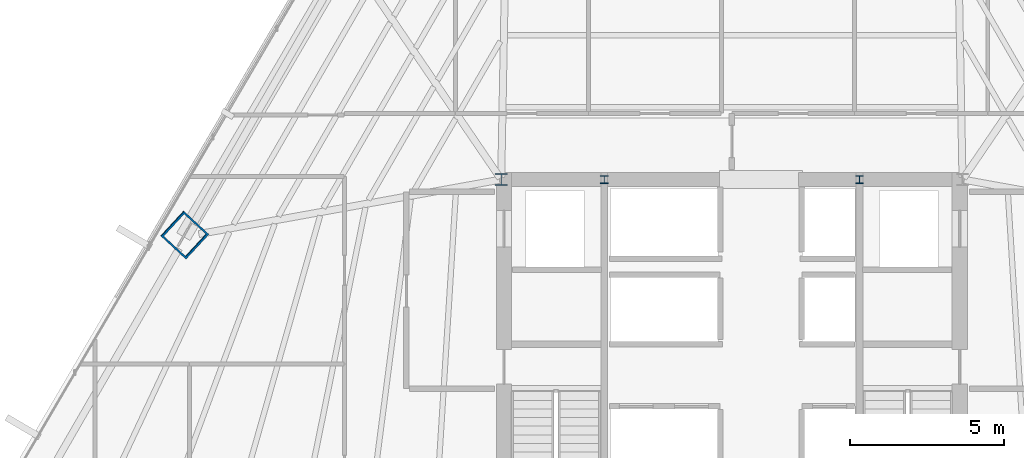
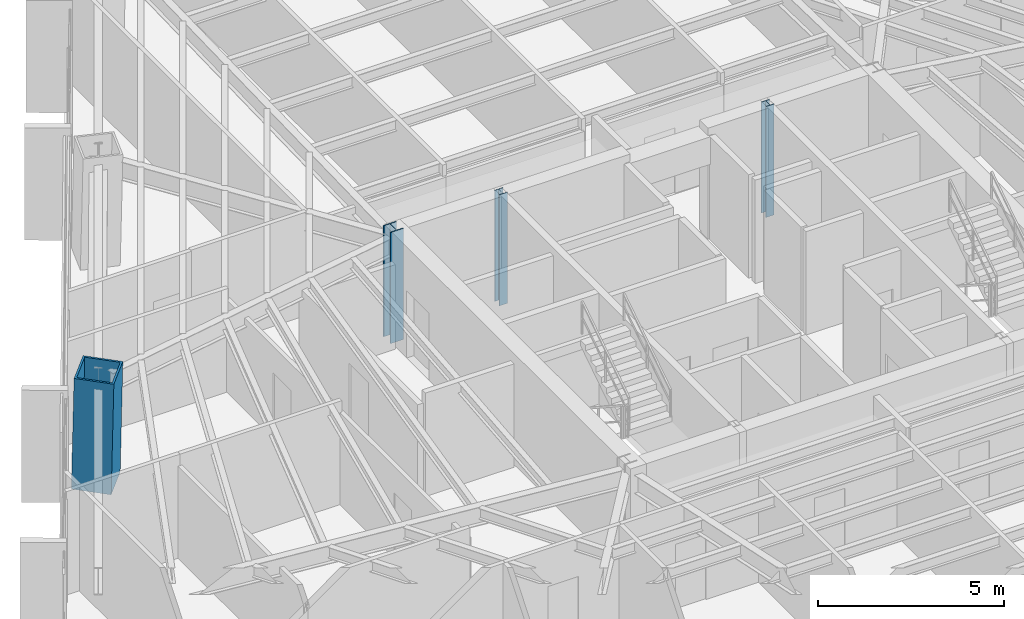
# One storey, part 2 of 36: 4 columns.
"""IFC4 building model written with IfcOpenShell, lengths in metres."""

from ifc_helpers import new_model, si_unit, direction, frame, origin, origin_2d, place, context, subcontext, project, spatial, hollow_rectangle, i_section, extrude, source, transform, mapped, material, material_profile, profile_set, type_object, type_shapes, element, save


model = new_model("IFC4")

# Units and contexts
model_context = context("Model", 3, precision=1e-05, world=origin(), true_north=direction((0.0, 1.0)))
body_context = subcontext(model_context, "Body", "Model", "MODEL_VIEW")
ifc_project = project(units=[si_unit("LENGTHUNIT", "METRE"), si_unit("AREAUNIT", "SQUARE_METRE"), si_unit("VOLUMEUNIT", "CUBIC_METRE"), si_unit("PLANEANGLEUNIT", "RADIAN"), si_unit("MASSUNIT", "GRAM", prefix="KILO")], contexts=[model_context])

# Site, building, storey
site_placement = place(None, origin())
site = spatial("IfcSite", under=ifc_project, at=site_placement, CompositionType="ELEMENT")
building_placement = place(site_placement, origin())
building = spatial("IfcBuilding", under=site, at=building_placement, Name="Caelisora Broadcast Tower", CompositionType="ELEMENT")
storey_placement = place(building_placement, frame((0.0, 0.0, 112.699951171875)))
storey = spatial("IfcBuildingStorey", under=building, at=storey_placement, Name="L29", CompositionType="ELEMENT", Elevation=112.699951171875)

# Columns
ifc_material_1 = material(Name="Steel Grade 350 (AS/NZS 3679.1)", Category="steel")
ifc_material_profile_1 = material_profile(ifc_material_1, i_section(OverallWidth=0.256103515625, OverallDepth=0.260009765625, WebThickness=0.010498046875, FlangeThickness=0.017333984375, at=origin_2d()), Name="Steel Grade 350 (AS/NZS 3679.1)")
ifc_profile_set_1 = profile_set([ifc_material_profile_1], Name="Steel Grade 350 (AS/NZS 3679.1)")
column_type_1 = type_object("IfcColumnType", Name="CC05", PredefinedType="COLUMN", material=ifc_profile_set_1)
shared_shape_1 = source(origin(), body_context, "Body", "SweptSolid", [
    extrude(i_section(OverallWidth=0.256103515625, OverallDepth=0.260009765625, WebThickness=0.010498046875, FlangeThickness=0.017333984375, at=origin_2d()), origin(), (0.0, 0.0, 1.0), 3.650146484375),
])
type_shapes(column_type_1, [shared_shape_1])
for number, where, z_axis, x_axis, name in (
    (1, (33.85009765625, 30.0, 0.0), (0.0, 0.0, 1.0), (1.0, 0.0, 0.0), "L29 column CC05"),
    (2, (42.14990234375, 30.0, 0.0), (0.0, 0.0, 1.0), (1.0, 0.0, 0.0), "L29 column CC05"),
):
    element("IfcColumn", number, at=place(storey_placement, frame(where, z_axis=z_axis, x_axis=x_axis)), inside=storey, type_object=column_type_1, Name=name, PredefinedType="COLUMN", context=body_context, shape_type="MappedRepresentation", body=[
        mapped(shared_shape_1, transform((0.0, 0.0, 0.0), scale=1.0)),
    ])
ifc_material_2 = material(Name="Steel Grade 350 L15 (AS/NZS 3678)", Category="steel")
ifc_material_profile_2 = material_profile(ifc_material_2, hollow_rectangle(XDim=1.10009765625, YDim=1.10009765625, WallThickness=0.06005859375, at=origin_2d()), Name="Steel Grade 350 L15 (AS/NZS 3678)")
ifc_profile_set_2 = profile_set([ifc_material_profile_2], Name="Steel Grade 350 L15 (AS/NZS 3678)")
column_type_2 = type_object("IfcColumnType", Name="MC03", PredefinedType="COLUMN", material=ifc_profile_set_2)
shared_shape_2 = source(origin(), body_context, "Body", "SweptSolid", [
    extrude(hollow_rectangle(XDim=1.10009765625, YDim=1.10009765625, WallThickness=0.06005859375, at=origin_2d()), origin(), (0.0, 0.0, 1.0), 3.65087890625),
])
type_shapes(column_type_2, [shared_shape_2])
column_1_placement = place(storey_placement, frame((20.202392578125, 28.202392578125, 0.0), z_axis=(0.014912316331, -0.013775502979, 0.999793907933), x_axis=(0.678553674548, 0.734550822447, 0.0)))
element("IfcColumn", 3, at=column_1_placement, inside=storey, type_object=column_type_2, Name="L29 column MC03", PredefinedType="COLUMN", context=body_context, shape_type="MappedRepresentation", body=[
    mapped(shared_shape_2, transform((0.0, 0.0, 0.0), scale=1.0)),
])
ifc_material_3 = material(Name="Steel Grade 350 (AS/NZS 3679.2)", Category="steel")
ifc_material_profile_3 = material_profile(ifc_material_3, i_section(OverallWidth=0.39990234375, OverallDepth=0.39990234375, WebThickness=0.02001953125, FlangeThickness=0.031982421875, at=origin_2d()), Name="Steel Grade 350 (AS/NZS 3679.2)")
ifc_profile_set_3 = profile_set([ifc_material_profile_3], Name="Steel Grade 350 (AS/NZS 3679.2)")
column_type_3 = type_object("IfcColumnType", Name="CC02", PredefinedType="COLUMN", material=ifc_profile_set_3)
shared_shape_3 = source(origin(), body_context, "Body", "SweptSolid", [
    extrude(i_section(OverallWidth=0.39990234375, OverallDepth=0.39990234375, WebThickness=0.02001953125, FlangeThickness=0.031982421875, at=origin_2d()), origin(), (0.0, 0.0, 1.0), 3.650146484375),
])
type_shapes(column_type_3, [shared_shape_3])
column_2_placement = place(storey_placement, frame((30.5, 30.0, 0.0), z_axis=(0.0, 0.0, 1.0), x_axis=(1.0, 0.0, 0.0)))
element("IfcColumn", 4, at=column_2_placement, inside=storey, type_object=column_type_3, Name="L29 column CC02", PredefinedType="COLUMN", context=body_context, shape_type="MappedRepresentation", body=[
    mapped(shared_shape_3, transform((0.0, 0.0, 0.0), scale=1.0)),
])

save(model, "model.ifc")
